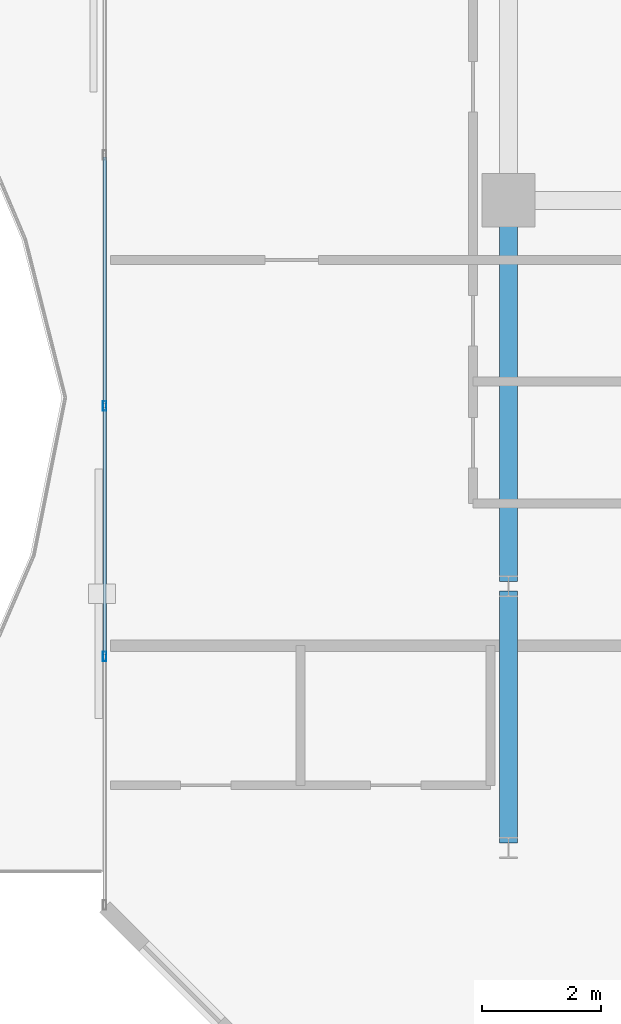
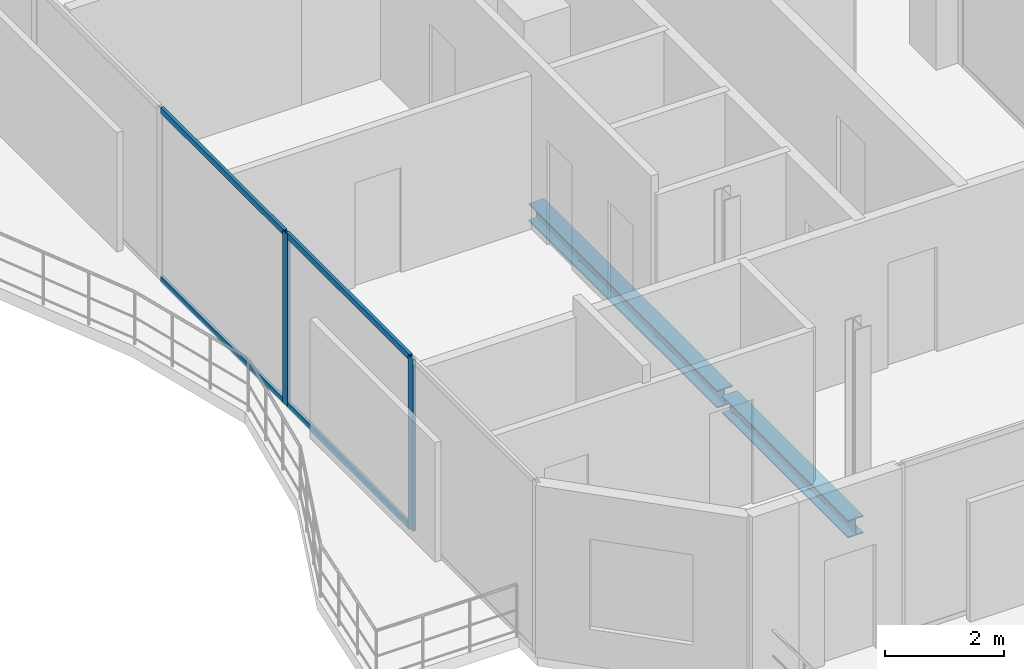
# One storey, part 3 of 17: 6 members, 2 beams, 1 element without a shape of its own.
"""IFC4 building model written with IfcOpenShell, lengths in metres."""

from ifc_helpers import new_model, si_unit, direction, frame, origin, origin_2d, place, context, subcontext, project, spatial, hollow_rectangle, i_section, extrude, material, layer, layer_set, material_profile, profile_set, type_object, element, aggregate, save


model = new_model("IFC4")

# Units and contexts
model_context = context("Model", 3, precision=1e-05, world=origin(), true_north=direction((0.0, 1.0)))
body_context = subcontext(model_context, "Body", "Model", "MODEL_VIEW")
ifc_project = project(units=[si_unit("LENGTHUNIT", "METRE"), si_unit("AREAUNIT", "SQUARE_METRE"), si_unit("VOLUMEUNIT", "CUBIC_METRE"), si_unit("PLANEANGLEUNIT", "RADIAN"), si_unit("MASSUNIT", "GRAM", prefix="KILO")], contexts=[model_context])

# Site, building, storey
site_placement = place(None, origin())
site = spatial("IfcSite", under=ifc_project, at=site_placement, CompositionType="ELEMENT")
building_placement = place(site_placement, origin())
building = spatial("IfcBuilding", under=site, at=building_placement, Name="Catumbela Crestline Tower", CompositionType="ELEMENT")
storey_placement = place(building_placement, frame((0.0, 0.0, 267.8)))
storey = spatial("IfcBuildingStorey", under=building, at=storey_placement, Name="L69", CompositionType="ELEMENT", Elevation=267.8)

# Beams
ifc_material_1 = material(Name="Structural steel S355J2", Category="steel")
ifc_material_profile_1 = material_profile(ifc_material_1, i_section(OverallWidth=0.3, OverallDepth=0.36, WebThickness=0.0125, FlangeThickness=0.0225, FilletRadius=0.027, at=origin_2d()), Name="HEB 360")
ifc_profile_set_1 = profile_set([ifc_material_profile_1], Name="Structural steel S355J2")
beam_type = type_object("IfcBeamType", Name="BG-HEB360", PredefinedType="BEAM", material=ifc_profile_set_1)
beam_1_placement = place(storey_placement, frame((16.0, 13.68, -0.44), z_axis=(0.0, 1.0, 0.0), x_axis=(-1.0, 0.0, 0.0)))
element("IfcBeam", 1, at=beam_1_placement, inside=storey, type_object=beam_type, Name="L69 Beam BM-L69-WNS18", PredefinedType="BEAM", context=body_context, shape_type="SweptSolid", body=[
    extrude(i_section(OverallWidth=0.3, OverallDepth=0.36, WebThickness=0.0125, FlangeThickness=0.0225, FilletRadius=0.027, at=origin_2d()), origin(), (0.0, 0.0, 1.0), 4.24),
])
beam_2_placement = place(storey_placement, frame((16.0, 18.08, -0.44), z_axis=(0.0, 1.0, 0.0), x_axis=(-1.0, 0.0, 0.0)))
element("IfcBeam", 2, at=beam_2_placement, inside=storey, type_object=beam_type, Name="L69 Beam BM-L69-WNS19", PredefinedType="BEAM", context=body_context, shape_type="SweptSolid", body=[
    extrude(i_section(OverallWidth=0.3, OverallDepth=0.36, WebThickness=0.0125, FlangeThickness=0.0225, FilletRadius=0.027, at=origin_2d()), origin(), (0.0, 0.0, 1.0), 6.34),
])

# Curtain wall, members
ifc_material_2 = material(Name="Aluminium alloy AW-6060-T66", Category="aluminium")
ifc_layer = layer(ifc_material_2, 0.18, Name="Aluminium alloy AW-6060-T66")
ifc_layer_set = layer_set([ifc_layer], Name="Aluminium alloy AW-6060-T66")
curtain_wall_type = type_object("IfcCurtainWallType", Name="CWU-Z4", PredefinedType="USERDEFINED", material=ifc_layer_set)
curtain_wall_placement = place(storey_placement, origin())
curtain_wall = element("IfcCurtainWall", 3, at=curtain_wall_placement, inside=storey, type_object=curtain_wall_type, Name="L69 Unitised Curtain Wall CW-L69-E9S2", ObjectType="UNITISED", PredefinedType="USERDEFINED")
ifc_material_profile_2 = material_profile(ifc_material_2, hollow_rectangle(XDim=0.06, YDim=0.16, WallThickness=0.004, at=origin_2d()), Name="ALU 160x60x4")
ifc_profile_set_2 = profile_set([ifc_material_profile_2], Name="Aluminium alloy AW-6060-T66")
member_type_1 = type_object("IfcMemberType", Name="MUL-160X60", PredefinedType="MULLION", material=ifc_profile_set_2)
member_1_placement = place(storey_placement, frame((9.2, 21.04, 0.0), z_axis=(0.0, 0.0, 1.0), x_axis=(1.0, 0.0, 0.0)))
member_1 = element("IfcMember", 4, at=member_1_placement, type_object=member_type_1, Name="CWU-Z4 mullion 4", PredefinedType="MULLION", context=body_context, shape_type="SweptSolid", body=[
    extrude(hollow_rectangle(XDim=0.06, YDim=0.16, WallThickness=0.004, at=origin_2d()), origin(), (0.0, 0.0, 1.0), 3.53),
])
member_2_placement = place(storey_placement, frame((9.2, 16.82, 0.0), z_axis=(0.0, 0.0, 1.0), x_axis=(1.0, 0.0, 0.0)))
member_2 = element("IfcMember", 5, at=member_2_placement, type_object=member_type_1, Name="CWU-Z4 mullion 5", PredefinedType="MULLION", context=body_context, shape_type="SweptSolid", body=[
    extrude(hollow_rectangle(XDim=0.06, YDim=0.16, WallThickness=0.004, at=origin_2d()), origin(), (0.0, 0.0, 1.0), 3.53),
])
ifc_material_profile_3 = material_profile(ifc_material_2, hollow_rectangle(XDim=0.06, YDim=0.12, WallThickness=0.0035, at=origin_2d()), Name="ALU 120x60x3.5")
ifc_profile_set_3 = profile_set([ifc_material_profile_3], Name="Aluminium alloy AW-6060-T66")
member_type_2 = type_object("IfcMemberType", Name="TRN-120X60", PredefinedType="USERDEFINED", material=ifc_profile_set_3)
member_3_placement = place(storey_placement, frame((9.2, 25.2275, 0.03), z_axis=(0.0, -1.0, 0.0), x_axis=(1.0, 0.0, 0.0)))
member_3 = element("IfcMember", 6, at=member_3_placement, type_object=member_type_2, Name="CWU-Z4 transom 3.1", ObjectType="TRANSOM", PredefinedType="USERDEFINED", context=body_context, shape_type="SweptSolid", body=[
    extrude(hollow_rectangle(XDim=0.06, YDim=0.12, WallThickness=0.0035, at=origin_2d()), origin(), (0.0, 0.0, 1.0), 4.155),
])
member_4_placement = place(storey_placement, frame((9.2, 25.2275, 3.5), z_axis=(0.0, -1.0, 0.0), x_axis=(1.0, 0.0, 0.0)))
member_4 = element("IfcMember", 7, at=member_4_placement, type_object=member_type_2, Name="CWU-Z4 transom 3.2", ObjectType="TRANSOM", PredefinedType="USERDEFINED", context=body_context, shape_type="SweptSolid", body=[
    extrude(hollow_rectangle(XDim=0.06, YDim=0.12, WallThickness=0.0035, at=origin_2d()), origin(), (0.0, 0.0, 1.0), 4.155),
])
member_5_placement = place(storey_placement, frame((9.2, 21.0075, 0.03), z_axis=(0.0, -1.0, 0.0), x_axis=(1.0, 0.0, 0.0)))
member_5 = element("IfcMember", 8, at=member_5_placement, type_object=member_type_2, Name="CWU-Z4 transom 4.1", ObjectType="TRANSOM", PredefinedType="USERDEFINED", context=body_context, shape_type="SweptSolid", body=[
    extrude(hollow_rectangle(XDim=0.06, YDim=0.12, WallThickness=0.0035, at=origin_2d()), origin(), (0.0, 0.0, 1.0), 4.155),
])
member_6_placement = place(storey_placement, frame((9.2, 21.0075, 3.5), z_axis=(0.0, -1.0, 0.0), x_axis=(1.0, 0.0, 0.0)))
member_6 = element("IfcMember", 9, at=member_6_placement, type_object=member_type_2, Name="CWU-Z4 transom 4.2", ObjectType="TRANSOM", PredefinedType="USERDEFINED", context=body_context, shape_type="SweptSolid", body=[
    extrude(hollow_rectangle(XDim=0.06, YDim=0.12, WallThickness=0.0035, at=origin_2d()), origin(), (0.0, 0.0, 1.0), 4.155),
])
aggregate(curtain_wall, [member_1, member_2, member_3, member_4, member_5, member_6])

save(model, "model.ifc")
